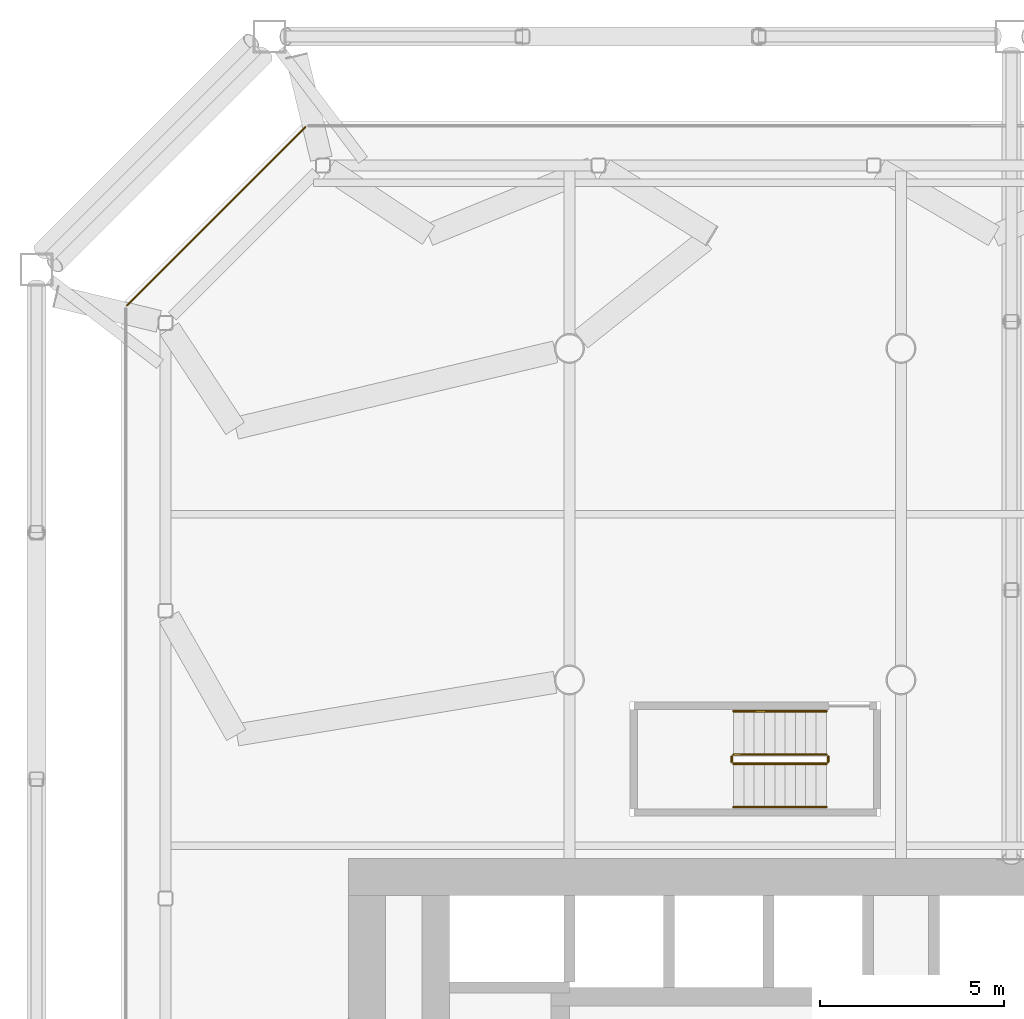
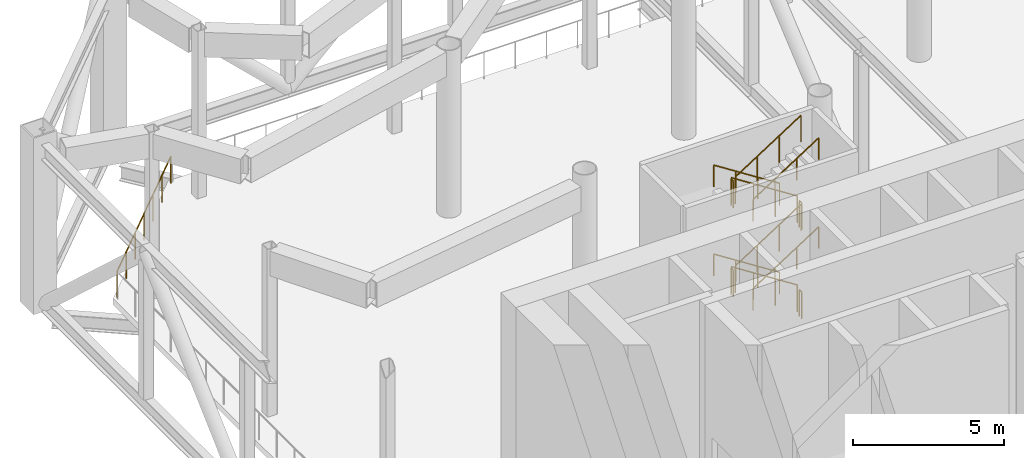
# One storey, part 19 of 20: 13 railings.
"""IFC4 building model written with IfcOpenShell, lengths in metres."""

from ifc_helpers import new_model, si_unit, direction, frame, origin, origin_2d, place, context, subcontext, project, spatial, circle, extrude, material, type_object, element, save


model = new_model("IFC4")

# Units and contexts
model_context = context("Model", 3, precision=1e-05, world=origin(), true_north=direction((0.0, 1.0)))
body_context = subcontext(model_context, "Body", "Model", "MODEL_VIEW")
ifc_project = project(units=[si_unit("LENGTHUNIT", "METRE"), si_unit("AREAUNIT", "SQUARE_METRE"), si_unit("VOLUMEUNIT", "CUBIC_METRE"), si_unit("PLANEANGLEUNIT", "RADIAN"), si_unit("MASSUNIT", "GRAM", prefix="KILO")], contexts=[model_context])

# Site, building, storey
site_placement = place(None, origin())
site = spatial("IfcSite", under=ifc_project, at=site_placement, CompositionType="ELEMENT")
building_placement = place(site_placement, origin())
building = spatial("IfcBuilding", under=site, at=building_placement, Name="Tskaro Facet Tower", CompositionType="ELEMENT")
storey_placement = place(building_placement, frame((0.0, 0.0, 114.300048828125)))
storey = spatial("IfcBuildingStorey", under=building, at=storey_placement, Name="L27", CompositionType="ELEMENT", Elevation=114.300048828125)

# Railings
ifc_material_1 = material(Name="Bronze anodised aluminium 6063-T6", Category="aluminium")
railing_type_1 = type_object("IfcRailingType", Name="Bronze guard rail (GD1)", PredefinedType="GUARDRAIL", material=ifc_material_1)
railing_1_placement = place(storey_placement, frame((-16.168701171875, 24.01318359375, 0.0)))
element("IfcRailing", 1, at=railing_1_placement, inside=storey, type_object=railing_type_1, Name="Guard L27", PredefinedType="GUARDRAIL", context=body_context, shape_type="SweptSolid", body=[
    extrude(circle(Radius=0.02490234375, at=origin_2d()), frame((0.0, 0.0, 1.0751953125), z_axis=(-0.707106781187, -0.707106781187, 0.0), x_axis=(0.707106781187, -0.707106781187, 0.0)), (0.0, 0.0, 1.0), 6.85107421875),
    extrude(circle(Radius=0.02001953125, at=origin_2d()), origin(), (0.0, 0.0, 1.0), 1.050048828125),
    extrude(circle(Radius=0.02001953125, at=origin_2d()), frame((-0.807373046875, -0.807373046875, 0.0)), (0.0, 0.0, 1.0), 1.050048828125),
    extrude(circle(Radius=0.02001953125, at=origin_2d()), frame((-1.61474609375, -1.61474609375, 0.0)), (0.0, 0.0, 1.0), 1.050048828125),
    extrude(circle(Radius=0.02001953125, at=origin_2d()), frame((-2.42236328125, -2.42236328125, 0.0)), (0.0, 0.0, 1.0), 1.050048828125),
    extrude(circle(Radius=0.02001953125, at=origin_2d()), frame((-3.229736328125, -3.229736328125, 0.0)), (0.0, 0.0, 1.0), 1.050048828125),
    extrude(circle(Radius=0.02001953125, at=origin_2d()), frame((-4.037109375, -4.037109375, 0.0)), (0.0, 0.0, 1.0), 1.050048828125),
    extrude(circle(Radius=0.02001953125, at=origin_2d()), frame((-4.844482421875, -4.844482421875, 0.0)), (0.0, 0.0, 1.0), 1.050048828125),
])
ifc_material_2 = material(Name="Stainless steel", Category="steel")
railing_type_2 = type_object("IfcRailingType", Name="RL-GUARD-1100", PredefinedType="GUARDRAIL", material=ifc_material_2)
railing_2_placement = place(storey_placement, frame((-2.02490234375, 6.97509765625, 0.179931640625)))
element("IfcRailing", 2, at=railing_2_placement, inside=storey, type_object=railing_type_2, Name="L27 ST-3 stair guard 1", PredefinedType="GUARDRAIL", context=body_context, shape_type="SweptSolid", body=[
    extrude(circle(Radius=0.02392578125, at=origin_2d()), frame((0.0, 0.0, 1.076171875), z_axis=(-0.841162588446, 0.0, 0.540782303519), x_axis=(0.0, -1.0, 0.0)), (0.0, 0.0, 1.0), 2.995849609375),
    extrude(circle(Radius=0.02099609375, at=origin_2d()), origin(), (0.0, 0.0, 1.0), 1.052001953125),
    extrude(circle(Radius=0.02099609375, at=origin_2d()), frame((-0.840087890625, 0.0, 0.5400390625)), (0.0, 0.0, 1.0), 1.052001953125),
    extrude(circle(Radius=0.02099609375, at=origin_2d()), frame((-1.679931640625, 0.0, 1.080078125)), (0.0, 0.0, 1.0), 1.052001953125),
    extrude(circle(Radius=0.02099609375, at=origin_2d()), frame((-2.52001953125, 0.0, 1.6201171875)), (0.0, 0.0, 1.0), 1.052001953125),
])
railing_3_placement = place(storey_placement, frame((-4.594970703125, 6.925048828125, 1.800048828125)))
element("IfcRailing", 3, at=railing_3_placement, inside=storey, type_object=railing_type_2, Name="L27 ST-3 stair guard 2", PredefinedType="GUARDRAIL", context=body_context, shape_type="SweptSolid", body=[
    extrude(circle(Radius=0.02392578125, at=origin_2d()), frame((0.0, 0.0, 1.076171875), z_axis=(0.0, -1.0, 0.0), x_axis=(1.0, 0.0, 0.0)), (0.0, 0.0, 1.0), 0.150146484375),
    extrude(circle(Radius=0.02099609375, at=origin_2d()), origin(), (0.0, 0.0, 1.0), 1.052001953125),
    extrude(circle(Radius=0.02099609375, at=origin_2d()), frame((0.0, -0.150146484375, 0.0)), (0.0, 0.0, 1.0), 1.052001953125),
])
railing_4_placement = place(storey_placement, frame((-4.544921875, 6.72509765625, 1.97998046875)))
element("IfcRailing", 4, at=railing_4_placement, inside=storey, type_object=railing_type_2, Name="L27 ST-3 stair guard 3", PredefinedType="GUARDRAIL", context=body_context, shape_type="SweptSolid", body=[
    extrude(circle(Radius=0.02392578125, at=origin_2d()), frame((0.0, 0.0, 1.076171875), z_axis=(0.841199657755, 0.0, 0.540724639528), x_axis=(0.0, 1.0, 0.0)), (0.0, 0.0, 1.0), 2.995849609375),
    extrude(circle(Radius=0.02099609375, at=origin_2d()), origin(), (0.0, 0.0, 1.0), 1.052001953125),
    extrude(circle(Radius=0.02099609375, at=origin_2d()), frame((0.840087890625, 0.0, 0.5400390625)), (0.0, 0.0, 1.0), 1.052001953125),
    extrude(circle(Radius=0.02099609375, at=origin_2d()), frame((1.679931640625, 0.0, 1.079833984375)), (0.0, 0.0, 1.0), 1.052001953125),
    extrude(circle(Radius=0.02099609375, at=origin_2d()), frame((2.52001953125, 0.0, 1.619873046875)), (0.0, 0.0, 1.0), 1.052001953125),
])
railing_5_placement = place(storey_placement, frame((-1.97509765625, 6.925048828125, 3.599853515625)))
element("IfcRailing", 5, at=railing_5_placement, inside=storey, type_object=railing_type_2, Name="L27 ST-3 stair guard 4", PredefinedType="GUARDRAIL", context=body_context, shape_type="SweptSolid", body=[
    extrude(circle(Radius=0.02392578125, at=origin_2d()), frame((0.0, 0.0, 1.076171875), z_axis=(0.0, -1.0, 0.0), x_axis=(1.0, 0.0, 0.0)), (0.0, 0.0, 1.0), 0.150146484375),
    extrude(circle(Radius=0.02099609375, at=origin_2d()), origin(), (0.0, 0.0, 1.0), 1.052001953125),
    extrude(circle(Radius=0.02099609375, at=origin_2d()), frame((0.0, -0.150146484375, 0.0)), (0.0, 0.0, 1.0), 1.052001953125),
])
railing_6_placement = place(storey_placement, frame((-2.02490234375, 6.97509765625, 3.780029296875)))
element("IfcRailing", 6, at=railing_6_placement, inside=storey, type_object=railing_type_2, Name="L27 ST-3 stair guard 5", PredefinedType="GUARDRAIL", context=body_context, shape_type="SweptSolid", body=[
    extrude(circle(Radius=0.02392578125, at=origin_2d()), frame((0.0, 0.0, 1.076171875), z_axis=(-0.841199657755, 0.0, 0.540724639528), x_axis=(0.0, -1.0, 0.0)), (0.0, 0.0, 1.0), 2.995849609375),
    extrude(circle(Radius=0.02099609375, at=origin_2d()), origin(), (0.0, 0.0, 1.0), 1.052001953125),
    extrude(circle(Radius=0.02099609375, at=origin_2d()), frame((-0.840087890625, 0.0, 0.5400390625)), (0.0, 0.0, 1.0), 1.052001953125),
    extrude(circle(Radius=0.02099609375, at=origin_2d()), frame((-1.679931640625, 0.0, 1.079833984375)), (0.0, 0.0, 1.0), 1.052001953125),
    extrude(circle(Radius=0.02099609375, at=origin_2d()), frame((-2.52001953125, 0.0, 1.619873046875)), (0.0, 0.0, 1.0), 1.052001953125),
])
railing_7_placement = place(storey_placement, frame((-4.594970703125, 6.925048828125, 5.39990234375)))
element("IfcRailing", 7, at=railing_7_placement, inside=storey, type_object=railing_type_2, Name="L27 ST-3 stair guard 6", PredefinedType="GUARDRAIL", context=body_context, shape_type="SweptSolid", body=[
    extrude(circle(Radius=0.02392578125, at=origin_2d()), frame((0.0, 0.0, 1.076171875), z_axis=(0.0, -1.0, 0.0), x_axis=(1.0, 0.0, 0.0)), (0.0, 0.0, 1.0), 0.150146484375),
    extrude(circle(Radius=0.02099609375, at=origin_2d()), origin(), (0.0, 0.0, 1.0), 1.052001953125),
    extrude(circle(Radius=0.02099609375, at=origin_2d()), frame((0.0, -0.150146484375, 0.0)), (0.0, 0.0, 1.0), 1.052001953125),
])
railing_8_placement = place(storey_placement, frame((-4.544921875, 6.72509765625, 5.579833984375)))
element("IfcRailing", 8, at=railing_8_placement, inside=storey, type_object=railing_type_2, Name="L27 ST-3 stair guard 7", PredefinedType="GUARDRAIL", context=body_context, shape_type="SweptSolid", body=[
    extrude(circle(Radius=0.02392578125, at=origin_2d()), frame((0.0, 0.0, 1.076171875), z_axis=(0.841162588446, 0.0, 0.540782303519), x_axis=(0.0, 1.0, 0.0)), (0.0, 0.0, 1.0), 2.995849609375),
    extrude(circle(Radius=0.02099609375, at=origin_2d()), origin(), (0.0, 0.0, 1.0), 1.052001953125),
    extrude(circle(Radius=0.02099609375, at=origin_2d()), frame((0.840087890625, 0.0, 0.5400390625)), (0.0, 0.0, 1.0), 1.052001953125),
    extrude(circle(Radius=0.02099609375, at=origin_2d()), frame((1.679931640625, 0.0, 1.080078125)), (0.0, 0.0, 1.0), 1.052001953125),
    extrude(circle(Radius=0.02099609375, at=origin_2d()), frame((2.52001953125, 0.0, 1.6201171875)), (0.0, 0.0, 1.0), 1.052001953125),
])
railing_9_placement = place(storey_placement, frame((-1.97509765625, 6.925048828125, 0.0)))
element("IfcRailing", 9, at=railing_9_placement, inside=storey, type_object=railing_type_2, Name="L27 ST-3 stair guard 8", PredefinedType="GUARDRAIL", context=body_context, shape_type="SweptSolid", body=[
    extrude(circle(Radius=0.02392578125, at=origin_2d()), frame((0.0, 0.0, 1.076171875), z_axis=(0.0, -1.0, 0.0), x_axis=(1.0, 0.0, 0.0)), (0.0, 0.0, 1.0), 0.150146484375),
    extrude(circle(Radius=0.02099609375, at=origin_2d()), origin(), (0.0, 0.0, 1.0), 1.052001953125),
    extrude(circle(Radius=0.02099609375, at=origin_2d()), frame((0.0, -0.150146484375, 0.0)), (0.0, 0.0, 1.0), 1.052001953125),
])
railing_type_3 = type_object("IfcRailingType", Name="RL-HANDRAIL-900", PredefinedType="HANDRAIL", material=ifc_material_2)
railing_10_placement = place(storey_placement, frame((-2.02490234375, 8.14990234375, 0.179931640625)))
element("IfcRailing", 10, at=railing_10_placement, inside=storey, type_object=railing_type_3, Name="L27 ST-3 stair handrail 1", PredefinedType="HANDRAIL", context=body_context, shape_type="SweptSolid", body=[
    extrude(circle(Radius=0.02392578125, at=origin_2d()), frame((0.0, 0.0, 0.8759765625), z_axis=(-0.841162588446, 0.0, 0.540782303519), x_axis=(0.0, -1.0, 0.0)), (0.0, 0.0, 1.0), 2.995849609375),
    extrude(circle(Radius=0.02099609375, at=origin_2d()), origin(), (0.0, 0.0, 1.0), 0.851806640625),
    extrude(circle(Radius=0.02099609375, at=origin_2d()), frame((-0.840087890625, 0.0, 0.5400390625)), (0.0, 0.0, 1.0), 0.851806640625),
    extrude(circle(Radius=0.02099609375, at=origin_2d()), frame((-1.679931640625, 0.0, 1.080078125)), (0.0, 0.0, 1.0), 0.851806640625),
    extrude(circle(Radius=0.02099609375, at=origin_2d()), frame((-2.52001953125, 0.0, 1.6201171875)), (0.0, 0.0, 1.0), 0.851806640625),
])
railing_11_placement = place(storey_placement, frame((-4.544921875, 5.550048828125, 1.97998046875)))
element("IfcRailing", 11, at=railing_11_placement, inside=storey, type_object=railing_type_3, Name="L27 ST-3 stair handrail 2", PredefinedType="HANDRAIL", context=body_context, shape_type="SweptSolid", body=[
    extrude(circle(Radius=0.02392578125, at=origin_2d()), frame((0.0, 0.0, 0.8759765625), z_axis=(0.841199657755, 0.0, 0.540724639528), x_axis=(0.0, 1.0, 0.0)), (0.0, 0.0, 1.0), 2.995849609375),
    extrude(circle(Radius=0.02099609375, at=origin_2d()), origin(), (0.0, 0.0, 1.0), 0.851806640625),
    extrude(circle(Radius=0.02099609375, at=origin_2d()), frame((0.840087890625, 0.0, 0.5400390625)), (0.0, 0.0, 1.0), 0.851806640625),
    extrude(circle(Radius=0.02099609375, at=origin_2d()), frame((1.679931640625, 0.0, 1.079833984375)), (0.0, 0.0, 1.0), 0.851806640625),
    extrude(circle(Radius=0.02099609375, at=origin_2d()), frame((2.52001953125, 0.0, 1.619873046875)), (0.0, 0.0, 1.0), 0.851806640625),
])
railing_12_placement = place(storey_placement, frame((-2.02490234375, 8.14990234375, 3.780029296875)))
element("IfcRailing", 12, at=railing_12_placement, inside=storey, type_object=railing_type_3, Name="L27 ST-3 stair handrail 3", PredefinedType="HANDRAIL", context=body_context, shape_type="SweptSolid", body=[
    extrude(circle(Radius=0.02392578125, at=origin_2d()), frame((0.0, 0.0, 0.8759765625), z_axis=(-0.841199657755, 0.0, 0.540724639528), x_axis=(0.0, -1.0, 0.0)), (0.0, 0.0, 1.0), 2.995849609375),
    extrude(circle(Radius=0.02099609375, at=origin_2d()), origin(), (0.0, 0.0, 1.0), 0.851806640625),
    extrude(circle(Radius=0.02099609375, at=origin_2d()), frame((-0.840087890625, 0.0, 0.5400390625)), (0.0, 0.0, 1.0), 0.851806640625),
    extrude(circle(Radius=0.02099609375, at=origin_2d()), frame((-1.679931640625, 0.0, 1.079833984375)), (0.0, 0.0, 1.0), 0.851806640625),
    extrude(circle(Radius=0.02099609375, at=origin_2d()), frame((-2.52001953125, 0.0, 1.619873046875)), (0.0, 0.0, 1.0), 0.851806640625),
])
railing_13_placement = place(storey_placement, frame((-4.544921875, 5.550048828125, 5.579833984375)))
element("IfcRailing", 13, at=railing_13_placement, inside=storey, type_object=railing_type_3, Name="L27 ST-3 stair handrail 4", PredefinedType="HANDRAIL", context=body_context, shape_type="SweptSolid", body=[
    extrude(circle(Radius=0.02392578125, at=origin_2d()), frame((0.0, 0.0, 0.8759765625), z_axis=(0.841162588446, 0.0, 0.540782303519), x_axis=(0.0, 1.0, 0.0)), (0.0, 0.0, 1.0), 2.995849609375),
    extrude(circle(Radius=0.02099609375, at=origin_2d()), origin(), (0.0, 0.0, 1.0), 0.851806640625),
    extrude(circle(Radius=0.02099609375, at=origin_2d()), frame((0.840087890625, 0.0, 0.5400390625)), (0.0, 0.0, 1.0), 0.851806640625),
    extrude(circle(Radius=0.02099609375, at=origin_2d()), frame((1.679931640625, 0.0, 1.080078125)), (0.0, 0.0, 1.0), 0.851806640625),
    extrude(circle(Radius=0.02099609375, at=origin_2d()), frame((2.52001953125, 0.0, 1.6201171875)), (0.0, 0.0, 1.0), 0.851806640625),
])

save(model, "model.ifc")
